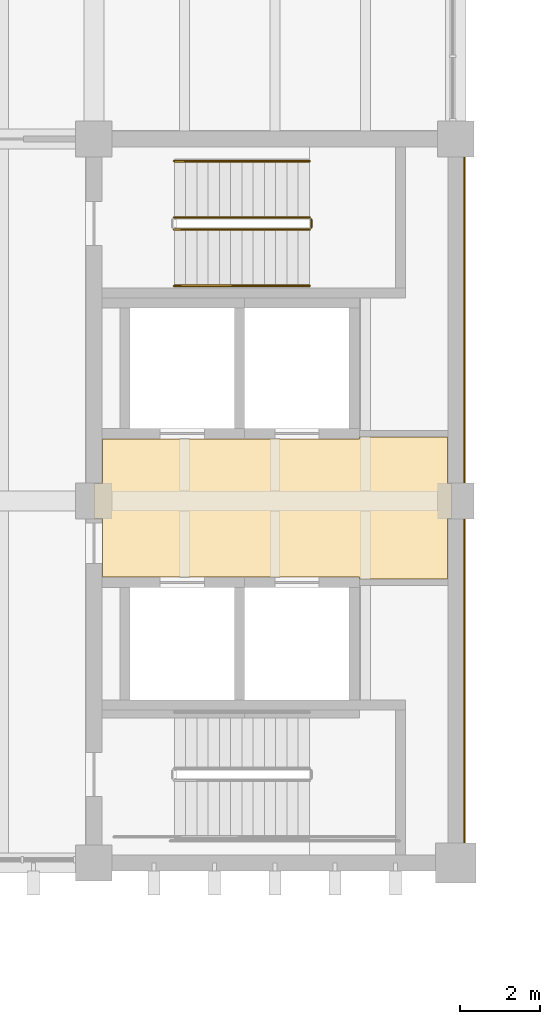
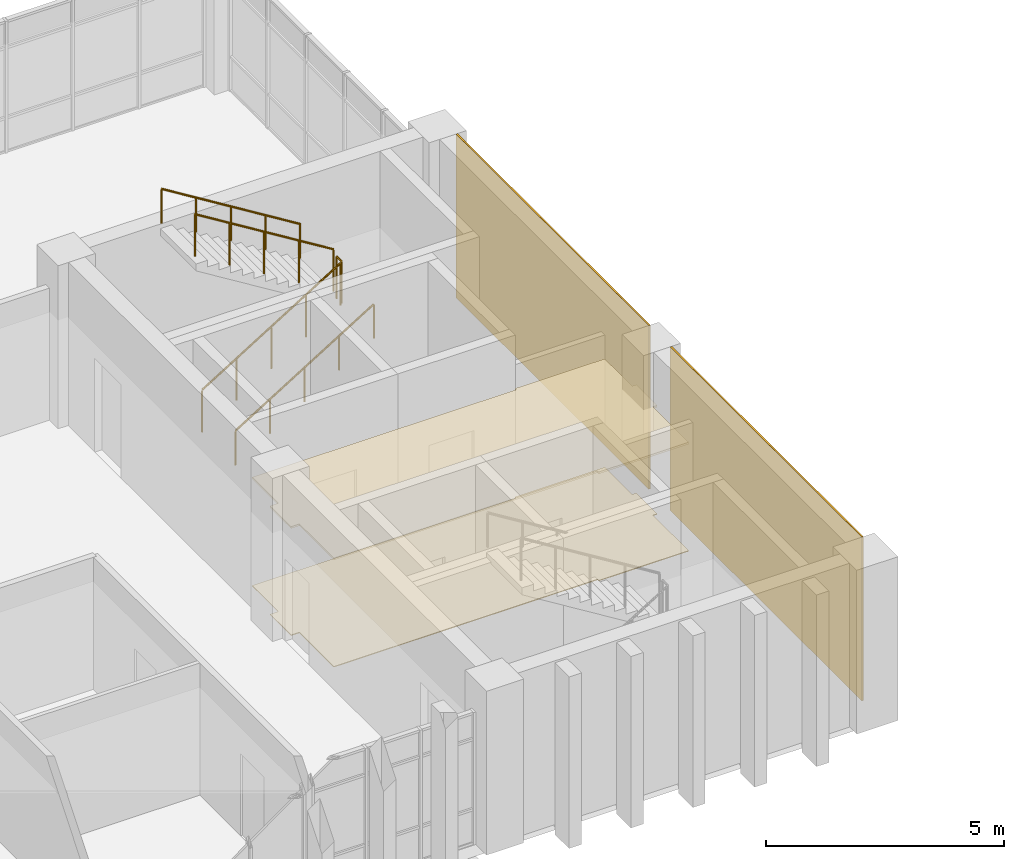
# One storey, part 86 of 88: 5 railings, 4 coverings.
"""IFC4 building model written with IfcOpenShell, lengths in metres."""

import ifcopenshell
import ifcopenshell.guid

model = None  # the IFC model being written
_history = None  # IfcOwnerHistory: only IFC2X3 demands one
_inside = {}  # id of a spatial element -> (the spatial element, [elements in it])
_under = {}  # id of a project, library or spatial element -> (it, [spatial elements below it])
_declared = {}  # id of a project -> (the project, [libraries it declares])
_typed = {}  # id of a type object -> (the type object, [elements of that type])
_made_of = {}  # id of a material, layer set ... -> (it, [elements and type objects made of it])


def new_model(schema):
    """Start an empty IFC model of exactly this schema.

    Asked for "IFC4X3", IfcOpenShell would pick the latest addendum, in which some entities
    have other attributes; the version numbers below select the first issue.
    IFC2X3 requires an IfcOwnerHistory on every rooted entity: one is made here for all.
    """
    global model, _history
    if schema == "IFC4X3":
        model = ifcopenshell.file(schema_version=(4, 3, 0, 0))
    else:
        model = ifcopenshell.file(schema=schema)
    _inside.clear()
    _under.clear()
    _declared.clear()
    _typed.clear()
    _made_of.clear()
    _history = None
    if model.schema == "IFC2X3":
        org = make("IfcOrganization", Name="unknown")
        user = make(
            "IfcPersonAndOrganization",
            ThePerson=make("IfcPerson", FamilyName="unknown"),
            TheOrganization=org,
        )
        app = make(
            "IfcApplication",
            ApplicationDeveloper=org,
            Version="unknown",
            ApplicationFullName="unknown",
            ApplicationIdentifier="unknown",
        )
        _history = make(
            "IfcOwnerHistory",
            OwningUser=user,
            OwningApplication=app,
            ChangeAction="ADDED",
            CreationDate=0,
        )
    return model


def make(cls, **values):
    """One entity of the class cls with the attributes given. An attribute that is None is left unset."""
    return model.create_entity(
        cls, **{name: value for name, value in values.items() if value is not None}
    )


def rooted(cls, **values):
    """An entity with a GlobalId (a new one), such as an element, a storey or a relation."""
    return make(cls, GlobalId=ifcopenshell.guid.new(), OwnerHistory=_history, **values)


def si_unit(unit_type, name, prefix=None):
    """IfcSIUnit, for example si_unit("LENGTHUNIT", "METRE", prefix="MILLI")."""
    return make("IfcSIUnit", UnitType=unit_type, Prefix=prefix, Name=name)


def assignment(units):
    """IfcUnitAssignment: the units of a project."""
    return None if units is None else make("IfcUnitAssignment", Units=units)


def point(xyz):
    """IfcCartesianPoint."""
    return None if xyz is None else make("IfcCartesianPoint", Coordinates=xyz)


def direction(xyz):
    """IfcDirection."""
    return None if xyz is None else make("IfcDirection", DirectionRatios=xyz)


def frame(location, z_axis=None, x_axis=None):
    """IfcAxis2Placement3D, a coordinate frame: its origin and axes. An axis left out is left unset."""
    return make(
        "IfcAxis2Placement3D",
        Location=point(location),
        Axis=direction(z_axis),
        RefDirection=direction(x_axis),
    )


def frame_2d(location, x_axis=None):
    """IfcAxis2Placement2D, a coordinate frame in the plane: its origin and x axis."""
    return make(
        "IfcAxis2Placement2D", Location=point(location), RefDirection=direction(x_axis)
    )


def origin():
    """The frame at (0, 0, 0) with its axes left unset."""
    return frame((0.0, 0.0, 0.0))


def origin_2d():
    """The frame at (0, 0) in the plane with its x axis left unset."""
    return frame_2d((0.0, 0.0))


def place(relative_to, where):
    """IfcLocalPlacement: puts the frame where relative to a parent placement (None: the world)."""
    return make(
        "IfcLocalPlacement", PlacementRelTo=relative_to, RelativePlacement=where
    )


def context(
    kind, dimensions, precision=None, world=None, true_north=None, identifier=None
):
    """IfcGeometricRepresentationContext, for example the 3D "Model" context."""
    return make(
        "IfcGeometricRepresentationContext",
        ContextIdentifier=identifier,
        ContextType=kind,
        CoordinateSpaceDimension=dimensions,
        Precision=precision,
        WorldCoordinateSystem=world,
        TrueNorth=true_north,
    )


def subcontext(parent, identifier, kind, view, scale=None):
    """IfcGeometricRepresentationSubContext, for example "Body" below "Model"."""
    return make(
        "IfcGeometricRepresentationSubContext",
        ContextIdentifier=identifier,
        ContextType=kind,
        ParentContext=parent,
        TargetScale=scale,
        TargetView=view,
    )


def project(units=None, contexts=None):
    """IfcProject with its units and contexts."""
    return rooted(
        "IfcProject",
        Name="project",
        RepresentationContexts=contexts,
        UnitsInContext=assignment(units),
    )


def spatial(cls, under=None, at=None, **own):
    """A site, building, storey or space (cls), placed at a placement, below another one or the project."""
    s = rooted(cls, ObjectPlacement=at, **own)
    if under is not None:
        _under.setdefault(under.id(), (under, []))[1].append(s)
    return s


def polyline(points):
    """IfcPolyline through the points."""
    return make("IfcPolyline", Points=[point(p) for p in points])


def profile(cls, at=None, kind="AREA", **sizes):
    """A parametric profile (cls). Its sizes go by their IFC names, for example OverallWidth=200.0."""
    return make(cls, ProfileType=kind, Position=at, **sizes)


def rectangle(**sizes):
    """IfcRectangleProfileDef."""
    return profile("IfcRectangleProfileDef", **sizes)


def circle(**sizes):
    """IfcCircleProfileDef."""
    return profile("IfcCircleProfileDef", **sizes)


def outline(outer, holes=None, kind="AREA"):
    """IfcArbitraryClosedProfileDef: a profile drawn as a closed curve; with holes, ...WithVoids."""
    if holes is None:
        return make("IfcArbitraryClosedProfileDef", ProfileType=kind, OuterCurve=outer)
    return make(
        "IfcArbitraryProfileDefWithVoids",
        ProfileType=kind,
        OuterCurve=outer,
        InnerCurves=holes,
    )


def extrude(swept, where, along, depth):
    """IfcExtrudedAreaSolid: the profile swept, set in the frame where, extruded along a direction by depth."""
    return make(
        "IfcExtrudedAreaSolid",
        SweptArea=swept,
        Position=where,
        ExtrudedDirection=direction(along),
        Depth=depth,
    )


def shape(context_of_items, identifier, shape_type, items):
    """IfcShapeRepresentation: the items that make up one representation, for example the "Body"."""
    return make(
        "IfcShapeRepresentation",
        ContextOfItems=context_of_items,
        RepresentationIdentifier=identifier,
        RepresentationType=shape_type,
        Items=items,
    )


def material(Name=None, Category=None):
    """IfcMaterial."""
    return make("IfcMaterial", Name=Name, Category=Category)


def layer(
    of_material, thickness, ventilated=None, Name=None, Category=None, Priority=None
):
    """IfcMaterialLayer: one layer of a wall or slab, of a material (None: an air gap)."""
    return make(
        "IfcMaterialLayer",
        Material=of_material,
        LayerThickness=thickness,
        IsVentilated=ventilated,
        Name=Name,
        Category=Category,
        Priority=Priority,
    )


def layer_set(layers, Name=None):
    """IfcMaterialLayerSet."""
    return make("IfcMaterialLayerSet", MaterialLayers=layers, LayerSetName=Name)


def made_of(thing, what):
    """Note that an element or type object is made of a material, layer set ...; save() writes the relation."""
    if what is not None:
        _made_of.setdefault(what.id(), (what, []))[1].append(thing)
    return thing


def type_object(cls, material=None, **own):
    """A type object (cls), such as IfcWallType, which elements share."""
    return made_of(rooted(cls, **own), material)


def element(
    cls,
    number,
    at=None,
    inside=None,
    cuts=None,
    type_object=None,
    material=None,
    context=None,
    identifier="Body",
    shape_type=None,
    held_by="IfcProductDefinitionShape",
    body=None,
    shapes=None,
    **own,
):
    """One element of the class cls, such as IfcWall. Its Tag is "e" and its number.

    at: its placement. inside: the storey or other place that contains it. cuts: it is an
    opening in that element (IfcRelVoidsElement). A single representation is given by context,
    identifier, shape_type and body (its items); several are given by shapes. held_by: the class
    of the entity that holds the representations. save() writes the other relations.
    """
    e = rooted(cls, Tag="e%d" % number, ObjectPlacement=at, **own)
    if body is not None:
        shapes = [shape(context, identifier, shape_type, body)]
    if shapes is not None:
        e.Representation = make(held_by, Representations=shapes)
    if inside is not None:
        _inside.setdefault(inside.id(), (inside, []))[1].append(e)
    if cuts is not None:
        rooted(
            "IfcRelVoidsElement", RelatingBuildingElement=cuts, RelatedOpeningElement=e
        )
    if type_object is not None:
        _typed.setdefault(type_object.id(), (type_object, []))[1].append(e)
    return made_of(e, material)


def aggregate(whole, parts):
    """IfcRelAggregates: a whole, such as a stair, and the parts it consists of."""
    return rooted("IfcRelAggregates", RelatingObject=whole, RelatedObjects=parts)


def save(model, path):
    """Write the relations noted so far, then the file.

    IfcRelAggregates (storeys below a building ...), IfcRelContainedInSpatialStructure (elements
    in a storey), IfcRelDefinesByType, IfcRelAssociatesMaterial and IfcRelDeclares: one each for
    every whole, place, type object, material and project.
    """
    for whole, parts in _under.values():
        aggregate(whole, parts)
    for where, things in _inside.values():
        rooted(
            "IfcRelContainedInSpatialStructure",
            RelatedElements=things,
            RelatingStructure=where,
        )
    for kind, things in _typed.values():
        rooted("IfcRelDefinesByType", RelatedObjects=things, RelatingType=kind)
    for what, things in _made_of.values():
        rooted("IfcRelAssociatesMaterial", RelatedObjects=things, RelatingMaterial=what)
    for by, libraries in _declared.values():
        rooted("IfcRelDeclares", RelatingContext=by, RelatedDefinitions=libraries)
    model.write(path)


model = new_model("IFC4")

# Units and contexts
model_context = context("Model", 3, precision=1e-05, world=origin(), true_north=direction((0.0, 1.0)))
body_context = subcontext(model_context, "Body", "Model", "MODEL_VIEW")
ifc_project = project(units=[si_unit("LENGTHUNIT", "METRE"), si_unit("AREAUNIT", "SQUARE_METRE"), si_unit("VOLUMEUNIT", "CUBIC_METRE"), si_unit("PLANEANGLEUNIT", "RADIAN"), si_unit("MASSUNIT", "GRAM", prefix="KILO")], contexts=[model_context])

# Site, building, storey
site_placement = place(None, origin())
site = spatial("IfcSite", under=ifc_project, at=site_placement, CompositionType="ELEMENT")
building_placement = place(site_placement, origin())
building = spatial("IfcBuilding", under=site, at=building_placement, Name="Merrow Basin Faculty of Sciences", CompositionType="ELEMENT")
storey_placement = place(building_placement, frame((0.0, 0.0, 9.0)))
storey = spatial("IfcBuildingStorey", under=building, at=storey_placement, Name="L02", CompositionType="ELEMENT", Elevation=9.0)

# Covering
ifc_material_1 = material(Name="Polished terrazzo floor")
ifc_layer_1 = layer(ifc_material_1, 0.02001953125)
ifc_layer_set_1 = layer_set([ifc_layer_1], Name="Polished terrazzo floor")
covering_type_1 = type_object("IfcCoveringType", Name="Polished terrazzo floor", PredefinedType="FLOORING", material=ifc_layer_set_1)
covering_1_placement = place(storey_placement, origin())
element("IfcCovering", 1, at=covering_1_placement, inside=storey, type_object=covering_type_1, Name="Floor finish L02-T-007", PredefinedType="FLOORING", context=body_context, shape_type="SweptSolid", body=[
    extrude(outline(polyline([(45.010009765625, 151.43994140625), (45.2099609375, 151.43994140625), (45.2099609375, 152.5400390625), (51.610107421875, 152.5400390625), (51.610107421875, 152.590087890625), (53.7900390625, 152.590087890625), (53.7900390625, 151.43994140625), (53.889892578125, 151.43994140625), (53.889892578125, 150.56005859375), (53.7900390625, 150.56005859375), (53.7900390625, 149.06005859375), (51.610107421875, 149.06005859375), (51.610107421875, 149.110107421875), (45.2099609375, 149.110107421875), (45.2099609375, 150.56005859375), (45.010009765625, 150.56005859375), (45.010009765625, 151.43994140625)])), origin(), (0.0, 0.0, 1.0), 0.02001953125),
])

# Railings
ifc_material_2 = material(Name="Steel ASTM A36", Category="steel")
railing_type_1 = type_object("IfcRailingType", Name="Steel guard 1100", PredefinedType="GUARDRAIL", material=ifc_material_2)
railing_1_placement = place(storey_placement, frame((47.0, 157.75, 0.173095703125)))
element("IfcRailing", 2, at=railing_1_placement, inside=storey, type_object=railing_type_1, Name="L02 ST-V5-S stair guard 1", PredefinedType="GUARDRAIL", context=body_context, shape_type="SweptSolid", body=[
    extrude(circle(Radius=0.02392578125, at=origin_2d()), frame((0.0, 0.0, 1.076171875), z_axis=(0.850623216509, 0.0, 0.525775754039), x_axis=(0.0, 1.0, 0.0)), (0.0, 0.0, 1.0), 3.9501953125),
    extrude(circle(Radius=0.02099609375, at=origin_2d()), origin(), (0.0, 0.0, 1.0), 1.052001953125),
    extrude(circle(Radius=0.02099609375, at=origin_2d()), frame((0.840087890625, 0.0, 0.519287109375)), (0.0, 0.0, 1.0), 1.052001953125),
    extrude(circle(Radius=0.02099609375, at=origin_2d()), frame((1.68017578125, 0.0, 1.03857421875)), (0.0, 0.0, 1.0), 1.052001953125),
    extrude(circle(Radius=0.02099609375, at=origin_2d()), frame((2.52001953125, 0.0, 1.5576171875)), (0.0, 0.0, 1.0), 1.052001953125),
    extrude(circle(Radius=0.02099609375, at=origin_2d()), frame((3.360107421875, 0.0, 2.076904296875)), (0.0, 0.0, 1.0), 1.052001953125),
])
railing_2_placement = place(storey_placement, frame((50.409912109375, 157.800048828125, 2.25)))
element("IfcRailing", 3, at=railing_2_placement, inside=storey, type_object=railing_type_1, Name="L02 ST-V5-S stair guard 2", PredefinedType="GUARDRAIL", context=body_context, shape_type="SweptSolid", body=[
    extrude(circle(Radius=0.02392578125, at=origin_2d()), frame((0.0, 0.0, 1.076171875), z_axis=(0.0, 1.0, 0.0), x_axis=(-1.0, 0.0, 0.0)), (0.0, 0.0, 1.0), 0.199951171875),
    extrude(circle(Radius=0.02099609375, at=origin_2d()), origin(), (0.0, 0.0, 1.0), 1.052001953125),
    extrude(circle(Radius=0.02099609375, at=origin_2d()), frame((0.0, 0.199951171875, 0.0)), (0.0, 0.0, 1.0), 1.052001953125),
])
railing_3_placement = place(storey_placement, frame((50.360107421875, 158.050048828125, 2.423095703125)))
element("IfcRailing", 4, at=railing_3_placement, inside=storey, type_object=railing_type_1, Name="L02 ST-V5-S stair guard 3", PredefinedType="GUARDRAIL", context=body_context, shape_type="SweptSolid", body=[
    extrude(circle(Radius=0.02392578125, at=origin_2d()), frame((0.0, 0.0, 1.076171875), z_axis=(-0.850623216509, 0.0, 0.525775754039), x_axis=(0.0, -1.0, 0.0)), (0.0, 0.0, 1.0), 3.9501953125),
    extrude(circle(Radius=0.02099609375, at=origin_2d()), origin(), (0.0, 0.0, 1.0), 1.052001953125),
    extrude(circle(Radius=0.02099609375, at=origin_2d()), frame((-0.840087890625, 0.0, 0.519287109375)), (0.0, 0.0, 1.0), 1.052001953125),
    extrude(circle(Radius=0.02099609375, at=origin_2d()), frame((-1.68017578125, 0.0, 1.03857421875)), (0.0, 0.0, 1.0), 1.052001953125),
    extrude(circle(Radius=0.02099609375, at=origin_2d()), frame((-2.52001953125, 0.0, 1.5576171875)), (0.0, 0.0, 1.0), 1.052001953125),
    extrude(circle(Radius=0.02099609375, at=origin_2d()), frame((-3.360107421875, 0.0, 2.076904296875)), (0.0, 0.0, 1.0), 1.052001953125),
])
ifc_material_3 = material(Name="Steel ASTM A36", Category="steel")
railing_type_2 = type_object("IfcRailingType", Name="Steel handrail 900", PredefinedType="HANDRAIL", material=ifc_material_3)
railing_4_placement = place(storey_placement, frame((47.0, 156.35009765625, 0.173095703125)))
element("IfcRailing", 5, at=railing_4_placement, inside=storey, type_object=railing_type_2, Name="L02 ST-V5-S stair handrail 1", PredefinedType="HANDRAIL", context=body_context, shape_type="SweptSolid", body=[
    extrude(circle(Radius=0.02392578125, at=origin_2d()), frame((0.0, 0.0, 0.8759765625), z_axis=(0.850623216509, 0.0, 0.525775754039), x_axis=(0.0, 1.0, 0.0)), (0.0, 0.0, 1.0), 3.9501953125),
    extrude(circle(Radius=0.02099609375, at=origin_2d()), origin(), (0.0, 0.0, 1.0), 0.851806640625),
    extrude(circle(Radius=0.02099609375, at=origin_2d()), frame((0.840087890625, 0.0, 0.519287109375)), (0.0, 0.0, 1.0), 0.851806640625),
    extrude(circle(Radius=0.02099609375, at=origin_2d()), frame((1.68017578125, 0.0, 1.03857421875)), (0.0, 0.0, 1.0), 0.851806640625),
    extrude(circle(Radius=0.02099609375, at=origin_2d()), frame((2.52001953125, 0.0, 1.5576171875)), (0.0, 0.0, 1.0), 0.851806640625),
    extrude(circle(Radius=0.02099609375, at=origin_2d()), frame((3.360107421875, 0.0, 2.076904296875)), (0.0, 0.0, 1.0), 0.851806640625),
])
railing_5_placement = place(storey_placement, frame((50.360107421875, 159.449951171875, 2.423095703125)))
element("IfcRailing", 6, at=railing_5_placement, inside=storey, type_object=railing_type_2, Name="L02 ST-V5-S stair handrail 2", PredefinedType="HANDRAIL", context=body_context, shape_type="SweptSolid", body=[
    extrude(circle(Radius=0.02392578125, at=origin_2d()), frame((0.0, 0.0, 0.8759765625), z_axis=(-0.850623216509, 0.0, 0.525775754039), x_axis=(0.0, -1.0, 0.0)), (0.0, 0.0, 1.0), 3.9501953125),
    extrude(circle(Radius=0.02099609375, at=origin_2d()), origin(), (0.0, 0.0, 1.0), 0.851806640625),
    extrude(circle(Radius=0.02099609375, at=origin_2d()), frame((-0.840087890625, 0.0, 0.519287109375)), (0.0, 0.0, 1.0), 0.851806640625),
    extrude(circle(Radius=0.02099609375, at=origin_2d()), frame((-1.68017578125, 0.0, 1.03857421875)), (0.0, 0.0, 1.0), 0.851806640625),
    extrude(circle(Radius=0.02099609375, at=origin_2d()), frame((-2.52001953125, 0.0, 1.5576171875)), (0.0, 0.0, 1.0), 0.851806640625),
    extrude(circle(Radius=0.02099609375, at=origin_2d()), frame((-3.360107421875, 0.0, 2.076904296875)), (0.0, 0.0, 1.0), 0.851806640625),
])

# Coverings
ifc_material_4 = material(Name="Mineral fibre ceiling tile")
ifc_layer_2 = layer(ifc_material_4, 0.050048828125)
ifc_layer_set_2 = layer_set([ifc_layer_2], Name="Suspended acoustic ceiling tile")
covering_type_2 = type_object("IfcCoveringType", Name="Suspended acoustic ceiling tile", PredefinedType="CEILING", material=ifc_layer_set_2)
covering_2_placement = place(storey_placement, frame((0.0, 0.0, 2.75)))
element("IfcCovering", 7, at=covering_2_placement, inside=storey, type_object=covering_type_2, Name="Ceiling L02-T-007", PredefinedType="CEILING", context=body_context, shape_type="SweptSolid", body=[
    extrude(outline(polyline([(45.010009765625, 151.43994140625), (45.2099609375, 151.43994140625), (45.2099609375, 152.5400390625), (51.610107421875, 152.5400390625), (51.610107421875, 152.590087890625), (53.7900390625, 152.590087890625), (53.7900390625, 151.43994140625), (53.889892578125, 151.43994140625), (53.889892578125, 150.56005859375), (53.7900390625, 150.56005859375), (53.7900390625, 149.06005859375), (51.610107421875, 149.06005859375), (51.610107421875, 149.110107421875), (45.2099609375, 149.110107421875), (45.2099609375, 150.56005859375), (45.010009765625, 150.56005859375), (45.010009765625, 151.43994140625)])), origin(), (0.0, 0.0, 1.0), 0.050048828125),
])
ifc_material_5 = material(Name="White powder-coated aluminium", Category="aluminium")
ifc_layer_3 = layer(ifc_material_5, 0.0400390625)
ifc_layer_set_3 = layer_set([ifc_layer_3], Name="White precast cladding 40")
covering_type_3 = type_object("IfcCoveringType", Name="White precast cladding 40", PredefinedType="CLADDING", material=ifc_layer_set_3)
covering_3_placement = place(storey_placement, frame((54.219970703125, 155.5, 0.0), z_axis=(0.0, 0.0, 1.0), x_axis=(1.0, 0.0, 0.0)))
element("IfcCovering", 8, at=covering_3_placement, inside=storey, type_object=covering_type_3, Name="White core cladding", PredefinedType="CLADDING", context=body_context, shape_type="SweptSolid", body=[
    extrude(rectangle(XDim=0.0400390625, YDim=8.10009765625, at=origin_2d()), origin(), (0.0, 0.0, 1.0), 4.199951171875),
])
covering_4_placement = place(storey_placement, frame((54.219970703125, 146.52490234375, 0.0), z_axis=(0.0, 0.0, 1.0), x_axis=(1.0, 0.0, 0.0)))
element("IfcCovering", 9, at=covering_4_placement, inside=storey, type_object=covering_type_3, Name="White core cladding", PredefinedType="CLADDING", context=body_context, shape_type="SweptSolid", body=[
    extrude(rectangle(XDim=0.0400390625, YDim=8.050048828125, at=origin_2d()), origin(), (0.0, 0.0, 1.0), 4.199951171875),
])

save(model, "model.ifc")
